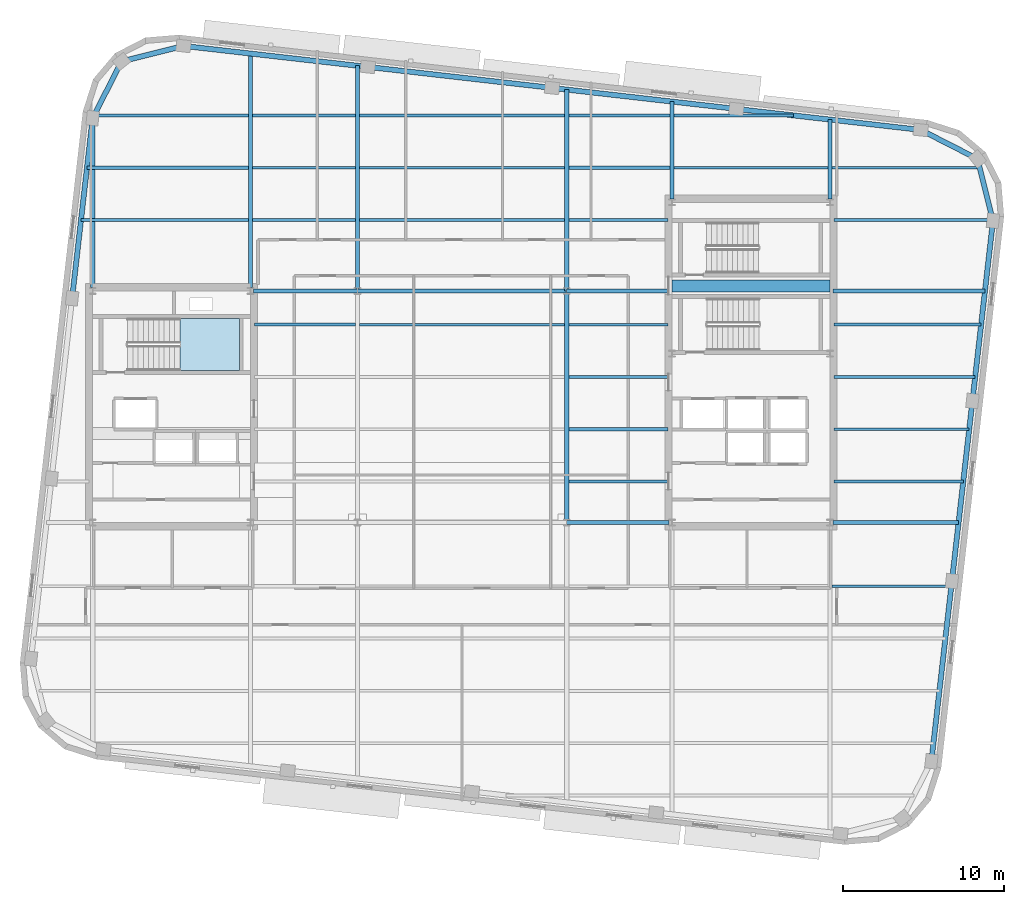
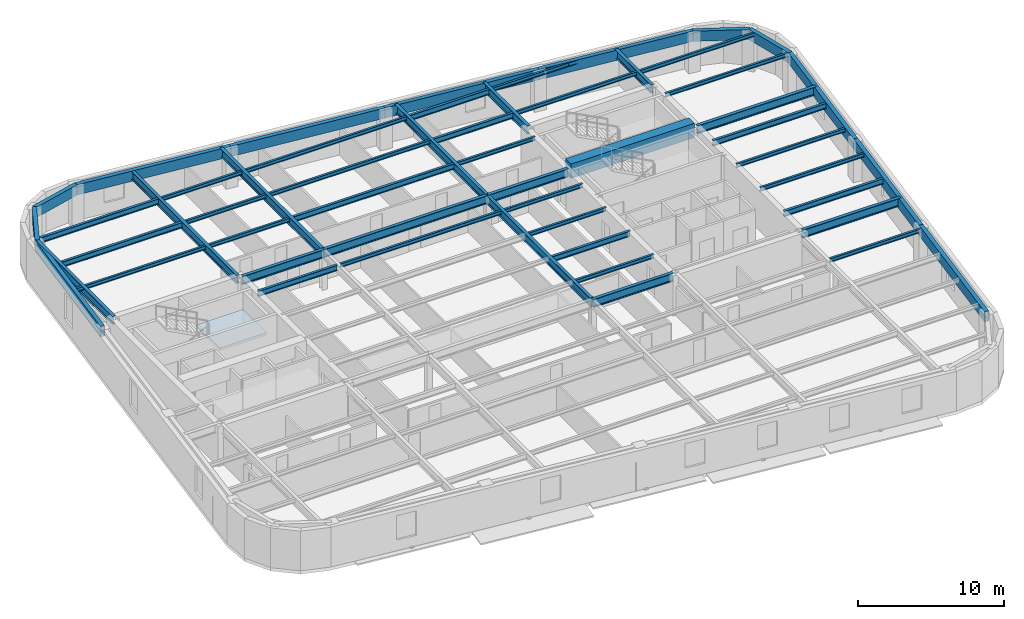
# One storey, part 4 of 13: 53 beams, 1 slab, 1 element without a shape of its own.
"""IFC4 building model written with IfcOpenShell, lengths in metres."""

from ifc_helpers import new_model, si_unit, direction, frame, origin, origin_2d, place, context, subcontext, project, spatial, polyline, rectangle, hollow_rectangle, i_section, outline, extrude, material, layer, layer_set, material_profile, profile_set, type_object, element, aggregate, save


model = new_model("IFC4")

# Units and contexts
model_context = context("Model", 3, precision=1e-05, world=origin(), true_north=direction((0.0, 1.0)))
body_context = subcontext(model_context, "Body", "Model", "MODEL_VIEW")
ifc_project = project(units=[si_unit("LENGTHUNIT", "METRE"), si_unit("AREAUNIT", "SQUARE_METRE"), si_unit("VOLUMEUNIT", "CUBIC_METRE"), si_unit("PLANEANGLEUNIT", "RADIAN"), si_unit("MASSUNIT", "GRAM", prefix="KILO")], contexts=[model_context])

# Site, building, storey
site_placement = place(None, origin())
site = spatial("IfcSite", under=ifc_project, at=site_placement, CompositionType="ELEMENT")
building_placement = place(site_placement, origin())
building = spatial("IfcBuilding", under=site, at=building_placement, Name="Kolvaren Arena Tower", CompositionType="ELEMENT")
storey_placement = place(building_placement, frame((0.0, 0.0, 265.949951171875)))
storey = spatial("IfcBuildingStorey", under=building, at=storey_placement, Name="L65", CompositionType="ELEMENT", Elevation=265.949951171875)

# Beams
ifc_material_1 = material(Name="Steel CSA G40.21 350W", Category="steel")
ifc_material_profile_1 = material_profile(ifc_material_1, i_section(OverallWidth=0.193115234375, OverallDepth=0.462890625, WebThickness=0.0107421875, FlangeThickness=0.0205078125, FilletRadius=0.012939453125, at=origin_2d()), Name="W460x113")
ifc_profile_set_1 = profile_set([ifc_material_profile_1], Name="Steel CSA G40.21 350W")
beam_type_1 = type_object("IfcBeamType", Name="BEAM-F2", PredefinedType="BEAM", material=ifc_profile_set_1)
beam_1_placement = place(storey_placement, frame((60.594970703125, 22.0, 3.0986328125), z_axis=(1.0, 0.0, 0.0), x_axis=(0.0, 1.0, 0.0)))
element("IfcBeam", 1, at=beam_1_placement, inside=storey, type_object=beam_type_1, Name="Composite Floor Beam (L65)", PredefinedType="BEAM", context=body_context, shape_type="SweptSolid", body=[
    extrude(i_section(OverallWidth=0.193115234375, OverallDepth=0.462890625, WebThickness=0.0107421875, FlangeThickness=0.0205078125, FilletRadius=0.012939453125, at=origin_2d()), origin(), (0.0, 0.0, 1.0), 8.041015625),
])
beam_2_placement = place(storey_placement, frame((44.12744140625, 25.25, 3.0986328125), z_axis=(1.0, 0.0, 0.0), x_axis=(0.0, 1.0, 0.0)))
element("IfcBeam", 2, at=beam_2_placement, inside=storey, type_object=beam_type_1, Name="Composite Floor Beam (L65)", PredefinedType="BEAM", context=body_context, shape_type="SweptSolid", body=[
    extrude(i_section(OverallWidth=0.193115234375, OverallDepth=0.462890625, WebThickness=0.0107421875, FlangeThickness=0.0205078125, FilletRadius=0.012939453125, at=origin_2d()), origin(), (0.0, 0.0, 1.0), 6.177490234375),
])
beam_3_placement = place(storey_placement, frame((24.594970703125, 31.75, 3.0986328125), z_axis=(1.0, 0.0, 0.0), x_axis=(0.0, 1.0, 0.0)))
element("IfcBeam", 3, at=beam_3_placement, inside=storey, type_object=beam_type_1, Name="Composite Floor Beam (L65)", PredefinedType="BEAM", context=body_context, shape_type="SweptSolid", body=[
    extrude(i_section(OverallWidth=0.193115234375, OverallDepth=0.462890625, WebThickness=0.0107421875, FlangeThickness=0.0205078125, FilletRadius=0.012939453125, at=origin_2d()), origin(), (0.0, 0.0, 1.0), 6.277587890625),
])
beam_4_placement = place(storey_placement, frame((60.594970703125, 31.75, 3.0986328125), z_axis=(1.0, 0.0, 0.0), x_axis=(0.0, 1.0, 0.0)))
element("IfcBeam", 4, at=beam_4_placement, inside=storey, type_object=beam_type_1, Name="Composite Floor Beam (L65)", PredefinedType="BEAM", context=body_context, shape_type="SweptSolid", body=[
    extrude(i_section(OverallWidth=0.193115234375, OverallDepth=0.462890625, WebThickness=0.0107421875, FlangeThickness=0.0205078125, FilletRadius=0.012939453125, at=origin_2d()), origin(), (0.0, 0.0, 1.0), 9.15185546875),
])
beam_5_placement = place(storey_placement, frame((31.12744140625, 38.25, 3.0986328125), z_axis=(1.0, 0.0, 0.0), x_axis=(0.0, 1.0, 0.0)))
element("IfcBeam", 5, at=beam_5_placement, inside=storey, type_object=beam_type_1, Name="Composite Floor Beam (L65)", PredefinedType="BEAM", context=body_context, shape_type="SweptSolid", body=[
    extrude(i_section(OverallWidth=0.193115234375, OverallDepth=0.462890625, WebThickness=0.0107421875, FlangeThickness=0.0205078125, FilletRadius=0.012939453125, at=origin_2d()), origin(), (0.0, 0.0, 1.0), 12.7451171875),
])
beam_6_placement = place(storey_placement, frame((14.193359375, 41.5, 3.0986328125), z_axis=(1.0, 0.0, 0.0), x_axis=(0.0, 1.0, 0.0)))
element("IfcBeam", 6, at=beam_6_placement, inside=storey, type_object=beam_type_1, Name="Composite Floor Beam (L65)", PredefinedType="BEAM", context=body_context, shape_type="SweptSolid", body=[
    extrude(i_section(OverallWidth=0.193115234375, OverallDepth=0.462890625, WebThickness=0.0107421875, FlangeThickness=0.0205078125, FilletRadius=0.012939453125, at=origin_2d()), origin(), (0.0, 0.0, 1.0), 10.029052734375),
])
beam_7_placement = place(storey_placement, frame((44.12744140625, 41.5, 3.0986328125), z_axis=(1.0, 0.0, 0.0), x_axis=(0.0, 1.0, 0.0)))
element("IfcBeam", 7, at=beam_7_placement, inside=storey, type_object=beam_type_1, Name="Composite Floor Beam (L65)", PredefinedType="BEAM", context=body_context, shape_type="SweptSolid", body=[
    extrude(i_section(OverallWidth=0.193115234375, OverallDepth=0.462890625, WebThickness=0.0107421875, FlangeThickness=0.0205078125, FilletRadius=0.012939453125, at=origin_2d()), origin(), (0.0, 0.0, 1.0), 6.295166015625),
])
beam_8_placement = place(storey_placement, frame((14.632080078125, 44.75, 3.0986328125), z_axis=(1.0, 0.0, 0.0), x_axis=(0.0, 1.0, 0.0)))
element("IfcBeam", 8, at=beam_8_placement, inside=storey, type_object=beam_type_1, Name="Composite Floor Beam (L65)", PredefinedType="BEAM", context=body_context, shape_type="SweptSolid", body=[
    extrude(i_section(OverallWidth=0.193115234375, OverallDepth=0.462890625, WebThickness=0.0107421875, FlangeThickness=0.0205078125, FilletRadius=0.012939453125, at=origin_2d()), origin(), (0.0, 0.0, 1.0), 9.59033203125),
])
beam_9_placement = place(storey_placement, frame((44.12744140625, 44.75, 3.0986328125), z_axis=(1.0, 0.0, 0.0), x_axis=(0.0, 1.0, 0.0)))
element("IfcBeam", 9, at=beam_9_placement, inside=storey, type_object=beam_type_1, Name="Composite Floor Beam (L65)", PredefinedType="BEAM", context=body_context, shape_type="SweptSolid", body=[
    extrude(i_section(OverallWidth=0.193115234375, OverallDepth=0.462890625, WebThickness=0.0107421875, FlangeThickness=0.0205078125, FilletRadius=0.012939453125, at=origin_2d()), origin(), (0.0, 0.0, 1.0), 6.295166015625),
])
ifc_material_2 = material(Name="Concrete 60 MPa", Category="concrete")
ifc_material_profile_2 = material_profile(ifc_material_2, rectangle(XDim=0.75, YDim=1.199951171875, at=origin_2d()), Name="RC-750x1200")
ifc_profile_set_2 = profile_set([ifc_material_profile_2], Name="Concrete 60 MPa")
beam_type_2 = type_object("IfcBeamType", Name="CB-CORE-2", PredefinedType="BEAM", material=ifc_profile_set_2)
beam_10_placement = place(storey_placement, frame((50.550048828125, 34.14990234375, 3.0), z_axis=(1.0, 0.0, 0.0), x_axis=(0.0, 1.0, 0.0)))
element("IfcBeam", 10, at=beam_10_placement, inside=storey, type_object=beam_type_2, Name="East Core Coupling Beam (L65)", PredefinedType="BEAM", context=body_context, shape_type="SweptSolid", body=[
    extrude(rectangle(XDim=0.75, YDim=1.199951171875, at=origin_2d()), origin(), (0.0, 0.0, 1.0), 9.800048828125),
])
ifc_material_profile_3 = material_profile(ifc_material_1, i_section(OverallWidth=0.2548828125, OverallDepth=0.695068359375, WebThickness=0.01708984375, FlangeThickness=0.02978515625, FilletRadius=0.01611328125, at=origin_2d()), Name="W690x217")
ifc_profile_set_3 = profile_set([ifc_material_profile_3], Name="Steel CSA G40.21 350W")
beam_type_3 = type_object("IfcBeamType", Name="GIRD-T2", PredefinedType="BEAM", material=ifc_profile_set_3)
beam_11_placement = place(storey_placement, frame((44.0, 19.449951171875, 2.982666015625), z_axis=(1.0, 0.0, 0.0), x_axis=(0.0, 1.0, 0.0)))
element("IfcBeam", 11, at=beam_11_placement, inside=storey, type_object=beam_type_3, Name="Primary Floor Girder (L65)", PredefinedType="BEAM", context=body_context, shape_type="SweptSolid", body=[
    extrude(i_section(OverallWidth=0.2548828125, OverallDepth=0.695068359375, WebThickness=0.01708984375, FlangeThickness=0.02978515625, FilletRadius=0.01611328125, at=origin_2d()), origin(), (0.0, 0.0, 1.0), 6.344970703125),
])
beam_12_placement = place(storey_placement, frame((60.554931640625, 19.449951171875, 2.982666015625), z_axis=(1.0, 0.0, 0.0), x_axis=(0.0, 1.0, 0.0)))
element("IfcBeam", 12, at=beam_12_placement, inside=storey, type_object=beam_type_3, Name="Primary Floor Girder (L65)", PredefinedType="BEAM", context=body_context, shape_type="SweptSolid", body=[
    extrude(i_section(OverallWidth=0.2548828125, OverallDepth=0.695068359375, WebThickness=0.01708984375, FlangeThickness=0.02978515625, FilletRadius=0.01611328125, at=origin_2d()), origin(), (0.0, 0.0, 1.0), 7.790283203125),
])
beam_13_placement = place(storey_placement, frame((24.554931640625, 33.85009765625, 2.982666015625), z_axis=(1.0, 0.0, 0.0), x_axis=(0.0, 1.0, 0.0)))
element("IfcBeam", 13, at=beam_13_placement, inside=storey, type_object=beam_type_3, Name="Primary Floor Girder (L65)", PredefinedType="BEAM", context=body_context, shape_type="SweptSolid", body=[
    extrude(i_section(OverallWidth=0.2548828125, OverallDepth=0.695068359375, WebThickness=0.01708984375, FlangeThickness=0.02978515625, FilletRadius=0.01611328125, at=origin_2d()), origin(), (0.0, 0.0, 1.0), 6.445068359375),
])
beam_14_placement = place(storey_placement, frame((31.0, 33.85009765625, 2.982666015625), z_axis=(1.0, 0.0, 0.0), x_axis=(0.0, 1.0, 0.0)))
element("IfcBeam", 14, at=beam_14_placement, inside=storey, type_object=beam_type_3, Name="Primary Floor Girder (L65)", PredefinedType="BEAM", context=body_context, shape_type="SweptSolid", body=[
    extrude(i_section(OverallWidth=0.2548828125, OverallDepth=0.695068359375, WebThickness=0.01708984375, FlangeThickness=0.02978515625, FilletRadius=0.01611328125, at=origin_2d()), origin(), (0.0, 0.0, 1.0), 13.0),
])
beam_15_placement = place(storey_placement, frame((44.0, 33.85009765625, 2.982666015625), z_axis=(1.0, 0.0, 0.0), x_axis=(0.0, 1.0, 0.0)))
element("IfcBeam", 15, at=beam_15_placement, inside=storey, type_object=beam_type_3, Name="Primary Floor Girder (L65)", PredefinedType="BEAM", context=body_context, shape_type="SweptSolid", body=[
    extrude(i_section(OverallWidth=0.2548828125, OverallDepth=0.695068359375, WebThickness=0.01708984375, FlangeThickness=0.02978515625, FilletRadius=0.01611328125, at=origin_2d()), origin(), (0.0, 0.0, 1.0), 6.344970703125),
])
beam_16_placement = place(storey_placement, frame((60.554931640625, 33.85009765625, 2.982666015625), z_axis=(1.0, 0.0, 0.0), x_axis=(0.0, 1.0, 0.0)))
element("IfcBeam", 16, at=beam_16_placement, inside=storey, type_object=beam_type_3, Name="Primary Floor Girder (L65)", PredefinedType="BEAM", context=body_context, shape_type="SweptSolid", body=[
    extrude(i_section(OverallWidth=0.2548828125, OverallDepth=0.695068359375, WebThickness=0.01708984375, FlangeThickness=0.02978515625, FilletRadius=0.01611328125, at=origin_2d()), origin(), (0.0, 0.0, 1.0), 9.43115234375),
])
beam_17_placement = place(storey_placement, frame((14.550048828125, 34.054931640625, 2.982666015625), z_axis=(0.0, 1.0, 0.0), x_axis=(-1.0, 0.0, 0.0)))
element("IfcBeam", 17, at=beam_17_placement, inside=storey, type_object=beam_type_3, Name="Primary Floor Girder (L65)", PredefinedType="BEAM", context=body_context, shape_type="SweptSolid", body=[
    extrude(i_section(OverallWidth=0.2548828125, OverallDepth=0.695068359375, WebThickness=0.01708984375, FlangeThickness=0.02978515625, FilletRadius=0.01611328125, at=origin_2d()), origin(), (0.0, 0.0, 1.0), 10.53466796875),
])
beam_18_placement = place(storey_placement, frame((24.35009765625, 34.054931640625, 2.982666015625), z_axis=(0.0, 1.0, 0.0), x_axis=(-1.0, 0.0, 0.0)))
element("IfcBeam", 18, at=beam_18_placement, inside=storey, type_object=beam_type_3, Name="Primary Floor Girder (L65)", PredefinedType="BEAM", context=body_context, shape_type="SweptSolid", body=[
    extrude(i_section(OverallWidth=0.2548828125, OverallDepth=0.695068359375, WebThickness=0.01708984375, FlangeThickness=0.02978515625, FilletRadius=0.01611328125, at=origin_2d()), origin(), (0.0, 0.0, 1.0), 14.538818359375),
])
beam_19_placement = place(storey_placement, frame((31.0, 33.85009765625, 2.982666015625), z_axis=(0.0, 1.0, 0.0), x_axis=(-1.0, 0.0, 0.0)))
element("IfcBeam", 19, at=beam_19_placement, inside=storey, type_object=beam_type_3, Name="Primary Floor Girder (L65)", PredefinedType="BEAM", context=body_context, shape_type="SweptSolid", body=[
    extrude(i_section(OverallWidth=0.2548828125, OverallDepth=0.695068359375, WebThickness=0.01708984375, FlangeThickness=0.02978515625, FilletRadius=0.01611328125, at=origin_2d()), origin(), (0.0, 0.0, 1.0), 13.986083984375),
])
beam_20_placement = place(storey_placement, frame((44.0, 19.449951171875, 2.982666015625), z_axis=(0.0, 1.0, 0.0), x_axis=(-1.0, 0.0, 0.0)))
element("IfcBeam", 20, at=beam_20_placement, inside=storey, type_object=beam_type_3, Name="Primary Floor Girder (L65)", PredefinedType="BEAM", context=body_context, shape_type="SweptSolid", body=[
    extrude(i_section(OverallWidth=0.2548828125, OverallDepth=0.695068359375, WebThickness=0.01708984375, FlangeThickness=0.02978515625, FilletRadius=0.01611328125, at=origin_2d()), origin(), (0.0, 0.0, 1.0), 14.400146484375),
])
beam_21_placement = place(storey_placement, frame((44.0, 33.85009765625, 2.982666015625), z_axis=(0.0, 1.0, 0.0), x_axis=(-1.0, 0.0, 0.0)))
element("IfcBeam", 21, at=beam_21_placement, inside=storey, type_object=beam_type_3, Name="Primary Floor Girder (L65)", PredefinedType="BEAM", context=body_context, shape_type="SweptSolid", body=[
    extrude(i_section(OverallWidth=0.2548828125, OverallDepth=0.695068359375, WebThickness=0.01708984375, FlangeThickness=0.02978515625, FilletRadius=0.01611328125, at=origin_2d()), origin(), (0.0, 0.0, 1.0), 12.5048828125),
])
beam_22_placement = place(storey_placement, frame((50.550048828125, 39.554931640625, 2.982666015625), z_axis=(0.0, 1.0, 0.0), x_axis=(-1.0, 0.0, 0.0)))
element("IfcBeam", 22, at=beam_22_placement, inside=storey, type_object=beam_type_3, Name="Primary Floor Girder (L65)", PredefinedType="BEAM", context=body_context, shape_type="SweptSolid", body=[
    extrude(i_section(OverallWidth=0.2548828125, OverallDepth=0.695068359375, WebThickness=0.01708984375, FlangeThickness=0.02978515625, FilletRadius=0.01611328125, at=origin_2d()), origin(), (0.0, 0.0, 1.0), 6.0537109375),
])
beam_23_placement = place(storey_placement, frame((60.35009765625, 39.554931640625, 2.982666015625), z_axis=(0.0, 1.0, 0.0), x_axis=(-1.0, 0.0, 0.0)))
element("IfcBeam", 23, at=beam_23_placement, inside=storey, type_object=beam_type_3, Name="Primary Floor Girder (L65)", PredefinedType="BEAM", context=body_context, shape_type="SweptSolid", body=[
    extrude(i_section(OverallWidth=0.2548828125, OverallDepth=0.695068359375, WebThickness=0.01708984375, FlangeThickness=0.02978515625, FilletRadius=0.01611328125, at=origin_2d()), origin(), (0.0, 0.0, 1.0), 4.937255859375),
])
ifc_material_profile_4 = material_profile(ifc_material_1, i_section(OverallWidth=0.1669921875, OverallDepth=0.31689453125, WebThickness=0.007568359375, FlangeThickness=0.01318359375, FilletRadius=0.010009765625, at=origin_2d()), Name="W310x52")
ifc_profile_set_4 = profile_set([ifc_material_profile_4], Name="Steel CSA G40.21 350W")
beam_type_4 = type_object("IfcBeamType", Name="JOIST-02", PredefinedType="JOIST", material=ifc_profile_set_4)
beam_24_placement = place(storey_placement, frame((60.4775390625, 15.5, 3.171630859375), z_axis=(1.0, 0.0, 0.0), x_axis=(0.0, 1.0, 0.0)))
element("IfcBeam", 24, at=beam_24_placement, inside=storey, type_object=beam_type_4, Name="Composite Floor Joist (L65)", PredefinedType="JOIST", context=body_context, shape_type="SweptSolid", body=[
    extrude(i_section(OverallWidth=0.1669921875, OverallDepth=0.31689453125, WebThickness=0.007568359375, FlangeThickness=0.01318359375, FilletRadius=0.010009765625, at=origin_2d()), origin(), (0.0, 0.0, 1.0), 7.417724609375),
])
beam_25_placement = place(storey_placement, frame((44.12744140625, 22.0, 3.171630859375), z_axis=(1.0, 0.0, 0.0), x_axis=(0.0, 1.0, 0.0)))
element("IfcBeam", 25, at=beam_25_placement, inside=storey, type_object=beam_type_4, Name="Composite Floor Joist (L65)", PredefinedType="JOIST", context=body_context, shape_type="SweptSolid", body=[
    extrude(i_section(OverallWidth=0.1669921875, OverallDepth=0.31689453125, WebThickness=0.007568359375, FlangeThickness=0.01318359375, FilletRadius=0.010009765625, at=origin_2d()), origin(), (0.0, 0.0, 1.0), 6.177490234375),
])
beam_26_placement = place(storey_placement, frame((60.594970703125, 25.25, 3.171630859375), z_axis=(1.0, 0.0, 0.0), x_axis=(0.0, 1.0, 0.0)))
element("IfcBeam", 26, at=beam_26_placement, inside=storey, type_object=beam_type_4, Name="Composite Floor Joist (L65)", PredefinedType="JOIST", context=body_context, shape_type="SweptSolid", body=[
    extrude(i_section(OverallWidth=0.1669921875, OverallDepth=0.31689453125, WebThickness=0.007568359375, FlangeThickness=0.01318359375, FilletRadius=0.010009765625, at=origin_2d()), origin(), (0.0, 0.0, 1.0), 8.4111328125),
])
beam_27_placement = place(storey_placement, frame((44.12744140625, 28.5, 3.171630859375), z_axis=(1.0, 0.0, 0.0), x_axis=(0.0, 1.0, 0.0)))
element("IfcBeam", 27, at=beam_27_placement, inside=storey, type_object=beam_type_4, Name="Composite Floor Joist (L65)", PredefinedType="JOIST", context=body_context, shape_type="SweptSolid", body=[
    extrude(i_section(OverallWidth=0.1669921875, OverallDepth=0.31689453125, WebThickness=0.007568359375, FlangeThickness=0.01318359375, FilletRadius=0.010009765625, at=origin_2d()), origin(), (0.0, 0.0, 1.0), 6.177490234375),
])
beam_28_placement = place(storey_placement, frame((60.594970703125, 28.5, 3.171630859375), z_axis=(1.0, 0.0, 0.0), x_axis=(0.0, 1.0, 0.0)))
element("IfcBeam", 28, at=beam_28_placement, inside=storey, type_object=beam_type_4, Name="Composite Floor Joist (L65)", PredefinedType="JOIST", context=body_context, shape_type="SweptSolid", body=[
    extrude(i_section(OverallWidth=0.1669921875, OverallDepth=0.31689453125, WebThickness=0.007568359375, FlangeThickness=0.01318359375, FilletRadius=0.010009765625, at=origin_2d()), origin(), (0.0, 0.0, 1.0), 8.781494140625),
])
beam_29_placement = place(storey_placement, frame((31.12744140625, 31.75, 3.171630859375), z_axis=(1.0, 0.0, 0.0), x_axis=(0.0, 1.0, 0.0)))
element("IfcBeam", 29, at=beam_29_placement, inside=storey, type_object=beam_type_4, Name="Composite Floor Joist (L65)", PredefinedType="JOIST", context=body_context, shape_type="SweptSolid", body=[
    extrude(i_section(OverallWidth=0.1669921875, OverallDepth=0.31689453125, WebThickness=0.007568359375, FlangeThickness=0.01318359375, FilletRadius=0.010009765625, at=origin_2d()), origin(), (0.0, 0.0, 1.0), 12.7451171875),
])
beam_30_placement = place(storey_placement, frame((44.12744140625, 31.75, 3.171630859375), z_axis=(1.0, 0.0, 0.0), x_axis=(0.0, 1.0, 0.0)))
element("IfcBeam", 30, at=beam_30_placement, inside=storey, type_object=beam_type_4, Name="Composite Floor Joist (L65)", PredefinedType="JOIST", context=body_context, shape_type="SweptSolid", body=[
    extrude(i_section(OverallWidth=0.1669921875, OverallDepth=0.31689453125, WebThickness=0.007568359375, FlangeThickness=0.01318359375, FilletRadius=0.010009765625, at=origin_2d()), origin(), (0.0, 0.0, 1.0), 6.177490234375),
])
beam_31_placement = place(storey_placement, frame((13.822998046875, 38.25, 3.171630859375), z_axis=(1.0, 0.0, 0.0), x_axis=(0.0, 1.0, 0.0)))
element("IfcBeam", 31, at=beam_31_placement, inside=storey, type_object=beam_type_4, Name="Composite Floor Joist (L65)", PredefinedType="JOIST", context=body_context, shape_type="SweptSolid", body=[
    extrude(i_section(OverallWidth=0.1669921875, OverallDepth=0.31689453125, WebThickness=0.007568359375, FlangeThickness=0.01318359375, FilletRadius=0.010009765625, at=origin_2d()), origin(), (0.0, 0.0, 1.0), 10.3994140625),
])
beam_32_placement = place(storey_placement, frame((24.4775390625, 38.25, 3.171630859375), z_axis=(1.0, 0.0, 0.0), x_axis=(0.0, 1.0, 0.0)))
element("IfcBeam", 32, at=beam_32_placement, inside=storey, type_object=beam_type_4, Name="Composite Floor Joist (L65)", PredefinedType="JOIST", context=body_context, shape_type="SweptSolid", body=[
    extrude(i_section(OverallWidth=0.1669921875, OverallDepth=0.31689453125, WebThickness=0.007568359375, FlangeThickness=0.01318359375, FilletRadius=0.010009765625, at=origin_2d()), origin(), (0.0, 0.0, 1.0), 6.39501953125),
])
beam_33_placement = place(storey_placement, frame((44.12744140625, 38.25, 3.171630859375), z_axis=(1.0, 0.0, 0.0), x_axis=(0.0, 1.0, 0.0)))
element("IfcBeam", 33, at=beam_33_placement, inside=storey, type_object=beam_type_4, Name="Composite Floor Joist (L65)", PredefinedType="JOIST", context=body_context, shape_type="SweptSolid", body=[
    extrude(i_section(OverallWidth=0.1669921875, OverallDepth=0.31689453125, WebThickness=0.007568359375, FlangeThickness=0.01318359375, FilletRadius=0.010009765625, at=origin_2d()), origin(), (0.0, 0.0, 1.0), 6.177490234375),
])
beam_34_placement = place(storey_placement, frame((60.594970703125, 38.25, 3.171630859375), z_axis=(1.0, 0.0, 0.0), x_axis=(0.0, 1.0, 0.0)))
element("IfcBeam", 34, at=beam_34_placement, inside=storey, type_object=beam_type_4, Name="Composite Floor Joist (L65)", PredefinedType="JOIST", context=body_context, shape_type="SweptSolid", body=[
    extrude(i_section(OverallWidth=0.1669921875, OverallDepth=0.31689453125, WebThickness=0.007568359375, FlangeThickness=0.01318359375, FilletRadius=0.010009765625, at=origin_2d()), origin(), (0.0, 0.0, 1.0), 9.8759765625),
])
beam_35_placement = place(storey_placement, frame((24.4775390625, 41.5, 3.171630859375), z_axis=(1.0, 0.0, 0.0), x_axis=(0.0, 1.0, 0.0)))
element("IfcBeam", 35, at=beam_35_placement, inside=storey, type_object=beam_type_4, Name="Composite Floor Joist (L65)", PredefinedType="JOIST", context=body_context, shape_type="SweptSolid", body=[
    extrude(i_section(OverallWidth=0.1669921875, OverallDepth=0.31689453125, WebThickness=0.007568359375, FlangeThickness=0.01318359375, FilletRadius=0.010009765625, at=origin_2d()), origin(), (0.0, 0.0, 1.0), 6.39501953125),
])
beam_36_placement = place(storey_placement, frame((31.12744140625, 41.5, 3.171630859375), z_axis=(1.0, 0.0, 0.0), x_axis=(0.0, 1.0, 0.0)))
element("IfcBeam", 36, at=beam_36_placement, inside=storey, type_object=beam_type_4, Name="Composite Floor Joist (L65)", PredefinedType="JOIST", context=body_context, shape_type="SweptSolid", body=[
    extrude(i_section(OverallWidth=0.1669921875, OverallDepth=0.31689453125, WebThickness=0.007568359375, FlangeThickness=0.01318359375, FilletRadius=0.010009765625, at=origin_2d()), origin(), (0.0, 0.0, 1.0), 12.7451171875),
])
beam_37_placement = place(storey_placement, frame((50.677490234375, 41.5, 3.171630859375), z_axis=(1.0, 0.0, 0.0), x_axis=(0.0, 1.0, 0.0)))
element("IfcBeam", 37, at=beam_37_placement, inside=storey, type_object=beam_type_4, Name="Composite Floor Joist (L65)", PredefinedType="JOIST", context=body_context, shape_type="SweptSolid", body=[
    extrude(i_section(OverallWidth=0.1669921875, OverallDepth=0.31689453125, WebThickness=0.007568359375, FlangeThickness=0.01318359375, FilletRadius=0.010009765625, at=origin_2d()), origin(), (0.0, 0.0, 1.0), 9.544921875),
])
beam_38_placement = place(storey_placement, frame((60.4775390625, 41.5, 3.171630859375), z_axis=(1.0, 0.0, 0.0), x_axis=(0.0, 1.0, 0.0)))
element("IfcBeam", 38, at=beam_38_placement, inside=storey, type_object=beam_type_4, Name="Composite Floor Joist (L65)", PredefinedType="JOIST", context=body_context, shape_type="SweptSolid", body=[
    extrude(i_section(OverallWidth=0.1669921875, OverallDepth=0.31689453125, WebThickness=0.007568359375, FlangeThickness=0.01318359375, FilletRadius=0.010009765625, at=origin_2d()), origin(), (0.0, 0.0, 1.0), 9.17919921875),
])
beam_39_placement = place(storey_placement, frame((24.4775390625, 44.75, 3.171630859375), z_axis=(1.0, 0.0, 0.0), x_axis=(0.0, 1.0, 0.0)))
element("IfcBeam", 39, at=beam_39_placement, inside=storey, type_object=beam_type_4, Name="Composite Floor Joist (L65)", PredefinedType="JOIST", context=body_context, shape_type="SweptSolid", body=[
    extrude(i_section(OverallWidth=0.1669921875, OverallDepth=0.31689453125, WebThickness=0.007568359375, FlangeThickness=0.01318359375, FilletRadius=0.010009765625, at=origin_2d()), origin(), (0.0, 0.0, 1.0), 6.39501953125),
])
beam_40_placement = place(storey_placement, frame((31.12744140625, 44.75, 3.171630859375), z_axis=(1.0, 0.0, 0.0), x_axis=(0.0, 1.0, 0.0)))
element("IfcBeam", 40, at=beam_40_placement, inside=storey, type_object=beam_type_4, Name="Composite Floor Joist (L65)", PredefinedType="JOIST", context=body_context, shape_type="SweptSolid", body=[
    extrude(i_section(OverallWidth=0.1669921875, OverallDepth=0.31689453125, WebThickness=0.007568359375, FlangeThickness=0.01318359375, FilletRadius=0.010009765625, at=origin_2d()), origin(), (0.0, 0.0, 1.0), 12.7451171875),
])
beam_41_placement = place(storey_placement, frame((50.677490234375, 44.75, 3.171630859375), z_axis=(1.0, 0.0, 0.0), x_axis=(0.0, 1.0, 0.0)))
element("IfcBeam", 41, at=beam_41_placement, inside=storey, type_object=beam_type_4, Name="Composite Floor Joist (L65)", PredefinedType="JOIST", context=body_context, shape_type="SweptSolid", body=[
    extrude(i_section(OverallWidth=0.1669921875, OverallDepth=0.31689453125, WebThickness=0.007568359375, FlangeThickness=0.01318359375, FilletRadius=0.010009765625, at=origin_2d()), origin(), (0.0, 0.0, 1.0), 7.40869140625),
])
ifc_material_3 = material(Name="Steel CSA G40.21 350WT", Category="steel")
ifc_material_profile_5 = material_profile(ifc_material_3, hollow_rectangle(XDim=0.320068359375, YDim=0.860107421875, WallThickness=0.01806640625, at=origin_2d()), Name="HSS 860x320x18")
ifc_profile_set_5 = profile_set([ifc_material_profile_5], Name="Steel CSA G40.21 350WT")
beam_type_5 = type_object("IfcBeamType", Name="SPAND-02", PredefinedType="SPANDREL", material=ifc_profile_set_5)
beam_42_placement = place(storey_placement, frame((66.656005859375, 4.6220703125, 2.900146484375), z_axis=(0.113201896536, 0.993572005755, 0.0), x_axis=(-0.993572005755, 0.113201896536, 0.0)))
element("IfcBeam", 42, at=beam_42_placement, inside=storey, type_object=beam_type_5, Name="Perimeter Spandrel Beam (L65)", PredefinedType="SPANDREL", context=body_context, shape_type="SweptSolid", body=[
    extrude(hollow_rectangle(XDim=0.320068359375, YDim=0.860107421875, WallThickness=0.01806640625, at=origin_2d()), origin(), (0.0, 0.0, 1.0), 11.2666015625),
])
beam_43_placement = place(storey_placement, frame((67.931396484375, 15.816162109375, 2.900146484375), z_axis=(0.113199459318, 0.993572283435, 0.0), x_axis=(-0.993572283435, 0.113199459318, 0.0)))
element("IfcBeam", 43, at=beam_43_placement, inside=storey, type_object=beam_type_5, Name="Perimeter Spandrel Beam (L65)", PredefinedType="SPANDREL", context=body_context, shape_type="SweptSolid", body=[
    extrude(hollow_rectangle(XDim=0.320068359375, YDim=0.860107421875, WallThickness=0.01806640625, at=origin_2d()), origin(), (0.0, 0.0, 1.0), 11.266845703125),
])
beam_44_placement = place(storey_placement, frame((69.206787109375, 27.010498046875, 2.900146484375), z_axis=(0.113201896536, 0.993572005755, 0.0), x_axis=(-0.993572005755, 0.113201896536, 0.0)))
element("IfcBeam", 44, at=beam_44_placement, inside=storey, type_object=beam_type_5, Name="Perimeter Spandrel Beam (L65)", PredefinedType="SPANDREL", context=body_context, shape_type="SweptSolid", body=[
    extrude(hollow_rectangle(XDim=0.320068359375, YDim=0.860107421875, WallThickness=0.01806640625, at=origin_2d()), origin(), (0.0, 0.0, 1.0), 11.2666015625),
])
for number, where, z_axis, x_axis, name in (
    (45, (70.482177734375, 38.20458984375, 2.900146484375), (-0.242956154878, 0.970037270834, 0.0), (-0.970037270834, -0.242956154878, 0.0), "Perimeter Spandrel Beam (L65)"),
    (46, (69.519775390625, 42.047119140625, 2.900146484375), (-0.890535676656, 0.454913407807, 0.0), (-0.454913407807, -0.890535676656, 0.0), "Perimeter Spandrel Beam (L65)"),
):
    element("IfcBeam", number, at=place(storey_placement, frame(where, z_axis=z_axis, x_axis=x_axis)), inside=storey, type_object=beam_type_5, Name=name, PredefinedType="SPANDREL", context=body_context, shape_type="SweptSolid", body=[
        extrude(hollow_rectangle(XDim=0.320068359375, YDim=0.860107421875, WallThickness=0.01806640625, at=origin_2d()), origin(), (0.0, 0.0, 1.0), 3.961181640625),
    ])
beam_45_placement = place(storey_placement, frame((65.9921875, 43.84912109375, 2.900146484375), z_axis=(-0.993571397957, 0.113207231049, 0.0), x_axis=(-0.113207231049, -0.993571397957, 0.0)))
element("IfcBeam", 47, at=beam_45_placement, inside=storey, type_object=beam_type_5, Name="Perimeter Spandrel Beam (L65)", PredefinedType="SPANDREL", context=body_context, shape_type="SweptSolid", body=[
    extrude(hollow_rectangle(XDim=0.320068359375, YDim=0.860107421875, WallThickness=0.01806640625, at=origin_2d()), origin(), (0.0, 0.0, 1.0), 11.524658203125),
])
for number, where, z_axis, x_axis, name in (
    (48, (54.54150390625, 45.15380859375, 2.900146484375), (-0.99357166944, 0.113204848336, 0.0), (-0.113204848336, -0.99357166944, 0.0), "Perimeter Spandrel Beam (L65)"),
    (49, (43.090576171875, 46.45849609375, 2.900146484375), (-0.99357166944, 0.113204848336, 0.0), (-0.113204848336, -0.99357166944, 0.0), "Perimeter Spandrel Beam (L65)"),
    (50, (31.6396484375, 47.76318359375, 2.900146484375), (-0.99357166944, 0.113204848336, 0.0), (-0.113204848336, -0.99357166944, 0.0), "Perimeter Spandrel Beam (L65)"),
):
    element("IfcBeam", number, at=place(storey_placement, frame(where, z_axis=z_axis, x_axis=x_axis)), inside=storey, type_object=beam_type_5, Name=name, PredefinedType="SPANDREL", context=body_context, shape_type="SweptSolid", body=[
        extrude(hollow_rectangle(XDim=0.320068359375, YDim=0.860107421875, WallThickness=0.01806640625, at=origin_2d()), origin(), (0.0, 0.0, 1.0), 11.52490234375),
    ])
for number, where, z_axis, x_axis, name in (
    (51, (20.188720703125, 49.06787109375, 2.900146484375), (-0.970037270834, -0.242956154878, 0.0), (0.242956154878, -0.970037270834, 0.0), "Perimeter Spandrel Beam (L65)"),
    (52, (16.34619140625, 48.10546875, 2.900146484375), (-0.454913407807, -0.890535676656, 0.0), (0.890535676656, -0.454913407807, 0.0), "Perimeter Spandrel Beam (L65)"),
):
    element("IfcBeam", number, at=place(storey_placement, frame(where, z_axis=z_axis, x_axis=x_axis)), inside=storey, type_object=beam_type_5, Name=name, PredefinedType="SPANDREL", context=body_context, shape_type="SweptSolid", body=[
        extrude(hollow_rectangle(XDim=0.320068359375, YDim=0.860107421875, WallThickness=0.01806640625, at=origin_2d()), origin(), (0.0, 0.0, 1.0), 3.961181640625),
    ])
beam_46_placement = place(storey_placement, frame((14.544189453125, 44.577880859375, 2.900146484375), z_axis=(-0.113201896536, -0.993572005755, 0.0), x_axis=(0.993572005755, -0.113201896536, 0.0)))
element("IfcBeam", 53, at=beam_46_placement, inside=storey, type_object=beam_type_5, Name="Perimeter Spandrel Beam (L65)", PredefinedType="SPANDREL", context=body_context, shape_type="SweptSolid", body=[
    extrude(hollow_rectangle(XDim=0.320068359375, YDim=0.860107421875, WallThickness=0.01806640625, at=origin_2d()), origin(), (0.0, 0.0, 1.0), 11.2666015625),
])

# Stair, slab
ifc_material_4 = material(Name="Concrete 45 MPa", Category="concrete")
stair_type = type_object("IfcStairType", Name="STAIR-CORE-165", PredefinedType="HALF_TURN_STAIR", material=ifc_material_4)
stair_placement = place(storey_placement, origin())
stair = element("IfcStair", 54, at=stair_placement, inside=storey, type_object=stair_type, Name="L65 ST-W1", PredefinedType="HALF_TURN_STAIR")
ifc_layer = layer(ifc_material_4, 0.199951171875)
ifc_layer_set = layer_set([ifc_layer], Name="Concrete 45 MPa")
slab_type = type_object("IfcSlabType", Name="SLAB-LAND", PredefinedType="LANDING", material=ifc_layer_set)
slab_placement = place(storey_placement, frame((0.0, 0.0, 1.675048828125)))
slab = element("IfcSlab", 55, at=slab_placement, type_object=slab_type, Name="ST-W1 landing 1", PredefinedType="LANDING", context=body_context, shape_type="SweptSolid", body=[
    extrude(outline(polyline([(19.9599609375, 28.89990234375), (23.659912109375, 28.89990234375), (23.659912109375, 32.1298828125), (19.9599609375, 32.1298828125), (19.9599609375, 28.89990234375)])), origin(), (0.0, 0.0, 1.0), 0.199951171875),
])
aggregate(stair, [slab])

save(model, "model.ifc")
